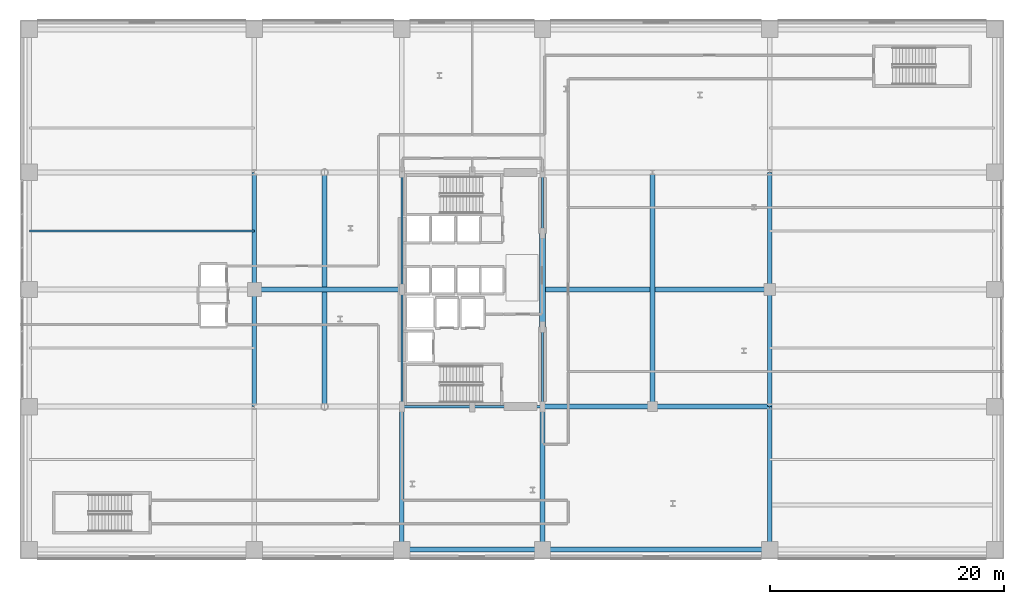
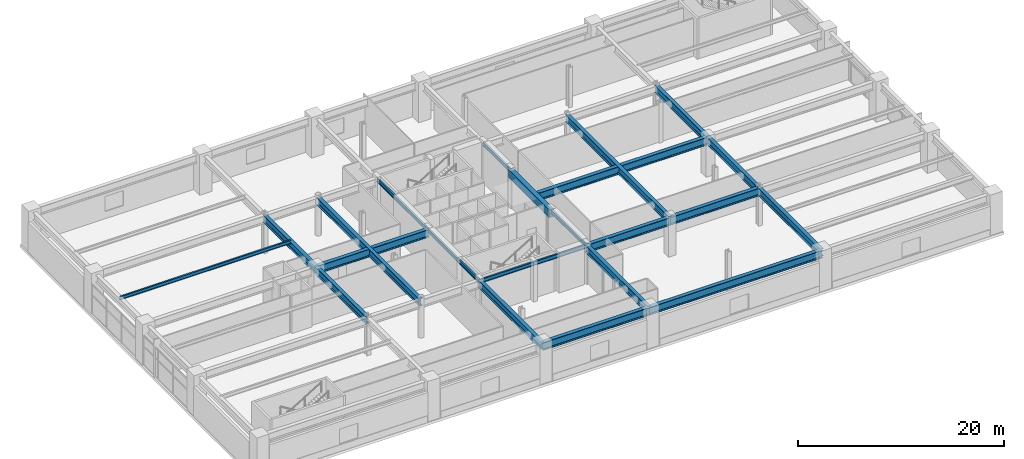
# One storey, part 10 of 28: 23 beams.
"""IFC4 building model written with IfcOpenShell, lengths in metres."""

from ifc_helpers import new_model, si_unit, direction, frame, origin, origin_2d, place, context, subcontext, project, spatial, rectangle, i_section, extrude, material, material_profile, profile_set, type_object, element, save


model = new_model("IFC4")

# Units and contexts
model_context = context("Model", 3, precision=1e-05, world=origin(), true_north=direction((0.0, 1.0)))
body_context = subcontext(model_context, "Body", "Model", "MODEL_VIEW")
ifc_project = project(units=[si_unit("LENGTHUNIT", "METRE"), si_unit("AREAUNIT", "SQUARE_METRE"), si_unit("VOLUMEUNIT", "CUBIC_METRE"), si_unit("PLANEANGLEUNIT", "RADIAN"), si_unit("MASSUNIT", "GRAM", prefix="KILO")], contexts=[model_context])

# Site, building, storey
site_placement = place(None, origin())
site = spatial("IfcSite", under=ifc_project, at=site_placement, CompositionType="ELEMENT")
building_placement = place(site_placement, origin())
building = spatial("IfcBuilding", under=site, at=building_placement, Name="Soratama Intermodal Tower", CompositionType="ELEMENT")
storey_placement = place(building_placement, frame((0.0, 0.0, 11.39990234375)))
storey = spatial("IfcBuildingStorey", under=building, at=storey_placement, Name="L02", CompositionType="ELEMENT", Elevation=11.39990234375)

# Beams
ifc_material_1 = material(Name="Concrete f'c 56 MPa", Category="concrete")
ifc_material_profile_1 = material_profile(ifc_material_1, rectangle(XDim=0.5, YDim=0.949951171875, at=origin_2d()), Name="RC500X950")
ifc_profile_set_1 = profile_set([ifc_material_profile_1], Name="Concrete f'c 56 MPa")
beam_type_1 = type_object("IfcBeamType", Name="BM-CPL-RC500X950", PredefinedType="BEAM", material=ifc_profile_set_1)
beam_1_placement = place(storey_placement, frame((44.60009765625, 21.800048828125, 4.005126953125), z_axis=(0.0, 1.0, 0.0), x_axis=(-1.0, 0.0, 0.0)))
element("IfcBeam", 1, at=beam_1_placement, inside=storey, type_object=beam_type_1, Name="L02 Core Coupling Beam East", PredefinedType="BEAM", context=body_context, shape_type="SweptSolid", body=[
    extrude(rectangle(XDim=0.5, YDim=0.949951171875, at=origin_2d()), origin(), (0.0, 0.0, 1.0), 8.0),
])
ifc_material_2 = material(Name="Structural steel ASTM A992 Grade 50", Category="steel")
ifc_material_profile_2 = material_profile(ifc_material_2, i_section(OverallWidth=0.19091796875, OverallDepth=0.4599609375, WebThickness=0.010009765625, FlangeThickness=0.01611328125, FilletRadius=0.010986328125, at=origin_2d()), Name="W18X55")
ifc_profile_set_2 = profile_set([ifc_material_profile_2], Name="Structural steel ASTM A992 Grade 50")
beam_type_2 = type_object("IfcBeamType", Name="BM-FLR-W18X55", PredefinedType="BEAM", material=ifc_profile_set_2)
for number, where, z_axis, x_axis, name in (
    (2, (32.60009765625, 15.0, 4.25), (1.0, 0.0, 0.0), (0.0, 1.0, 0.0), "BM-L02-CRING-01"),
    (3, (38.60009765625, 15.0, 4.25), (1.0, 0.0, 0.0), (0.0, 1.0, 0.0), "BM-L02-CRING-02"),
):
    element("IfcBeam", number, at=place(storey_placement, frame(where, z_axis=z_axis, x_axis=x_axis)), inside=storey, type_object=beam_type_2, Name=name, PredefinedType="BEAM", context=body_context, shape_type="SweptSolid", body=[
        extrude(i_section(OverallWidth=0.19091796875, OverallDepth=0.4599609375, WebThickness=0.010009765625, FlangeThickness=0.01611328125, FilletRadius=0.010986328125, at=origin_2d()), origin(), (0.0, 0.0, 1.0), 6.0),
    ])
beam_2_placement = place(storey_placement, frame((44.60009765625, 15.0, 4.25), z_axis=(0.0, 1.0, 0.0), x_axis=(-1.0, 0.0, 0.0)))
element("IfcBeam", 4, at=beam_2_placement, inside=storey, type_object=beam_type_2, Name="BM-L02-CRING-03", PredefinedType="BEAM", context=body_context, shape_type="SweptSolid", body=[
    extrude(i_section(OverallWidth=0.19091796875, OverallDepth=0.4599609375, WebThickness=0.010009765625, FlangeThickness=0.01611328125, FilletRadius=0.010986328125, at=origin_2d()), origin(), (0.0, 0.0, 1.0), 6.800048828125),
])
beam_3_placement = place(storey_placement, frame((44.60009765625, 29.800048828125, 4.25), z_axis=(0.0, 1.0, 0.0), x_axis=(-1.0, 0.0, 0.0)))
element("IfcBeam", 5, at=beam_3_placement, inside=storey, type_object=beam_type_2, Name="BM-L02-CRING-05", PredefinedType="BEAM", context=body_context, shape_type="SweptSolid", body=[
    extrude(i_section(OverallWidth=0.19091796875, OverallDepth=0.4599609375, WebThickness=0.010009765625, FlangeThickness=0.01611328125, FilletRadius=0.010986328125, at=origin_2d()), origin(), (0.0, 0.0, 1.0), 5.199951171875),
])
for number, where, z_axis, x_axis, name in (
    (6, (32.60009765625, 35.0, 4.25), (0.0, -1.0, 0.0), (1.0, 0.0, 0.0), "BM-L02-CRING-08"),
    (7, (32.60009765625, 25.0, 4.25), (0.0, -1.0, 0.0), (1.0, 0.0, 0.0), "BM-L02-CRING-09"),
):
    element("IfcBeam", number, at=place(storey_placement, frame(where, z_axis=z_axis, x_axis=x_axis)), inside=storey, type_object=beam_type_2, Name=name, PredefinedType="BEAM", context=body_context, shape_type="SweptSolid", body=[
        extrude(i_section(OverallWidth=0.19091796875, OverallDepth=0.4599609375, WebThickness=0.010009765625, FlangeThickness=0.01611328125, FilletRadius=0.010986328125, at=origin_2d()), origin(), (0.0, 0.0, 1.0), 10.0),
    ])
ifc_material_3 = material(Name="Structural steel ASTM A992 Grade 50", Category="steel")
ifc_material_profile_3 = material_profile(ifc_material_3, i_section(OverallWidth=0.177978515625, OverallDepth=0.406982421875, WebThickness=0.0078125, FlangeThickness=0.0126953125, FilletRadius=0.010009765625, at=origin_2d()), Name="W16X40")
ifc_profile_set_3 = profile_set([ifc_material_profile_3], Name="Structural steel ASTM A992 Grade 50")
beam_type_3 = type_object("IfcBeamType", Name="BM-JST-W16X40", PredefinedType="JOIST", material=ifc_profile_set_3)
beam_4_placement = place(storey_placement, frame((0.800048828125, 30.0, 4.276611328125), z_axis=(1.0, 0.0, 0.0), x_axis=(0.0, 1.0, 0.0)))
element("IfcBeam", 8, at=beam_4_placement, inside=storey, type_object=beam_type_3, Name="JST-L02-W3", PredefinedType="JOIST", context=body_context, shape_type="SweptSolid", body=[
    extrude(i_section(OverallWidth=0.177978515625, OverallDepth=0.406982421875, WebThickness=0.0078125, FlangeThickness=0.0126953125, FilletRadius=0.010009765625, at=origin_2d()), origin(), (0.0, 0.0, 1.0), 19.199951171875),
])
ifc_material_4 = material(Name="Structural steel ASTM A992 Grade 50", Category="steel")
ifc_material_profile_4 = material_profile(ifc_material_4, i_section(OverallWidth=0.423095703125, OverallDepth=0.93896484375, WebThickness=0.02392578125, FlangeThickness=0.042724609375, FilletRadius=0.02392578125, at=origin_2d()), Name="W36X302")
ifc_profile_set_4 = profile_set([ifc_material_profile_4], Name="Structural steel ASTM A992 Grade 50")
beam_type_4 = type_object("IfcBeamType", Name="BM-POD-EXT-W36", PredefinedType="BEAM", material=ifc_profile_set_4)
beam_5_placement = place(storey_placement, frame((32.60009765625, 2.800048828125, 4.010498046875), z_axis=(1.0, 0.0, 0.0), x_axis=(0.0, 1.0, 0.0)))
element("IfcBeam", 9, at=beam_5_placement, inside=storey, type_object=beam_type_4, Name="L02 Station Girder X1-3", PredefinedType="BEAM", context=body_context, shape_type="SweptSolid", body=[
    extrude(i_section(OverallWidth=0.423095703125, OverallDepth=0.93896484375, WebThickness=0.02392578125, FlangeThickness=0.042724609375, FilletRadius=0.02392578125, at=origin_2d()), origin(), (0.0, 0.0, 1.0), 12.0),
])
beam_6_placement = place(storey_placement, frame((44.60009765625, 2.800048828125, 4.010498046875), z_axis=(1.0, 0.0, 0.0), x_axis=(0.0, 1.0, 0.0)))
element("IfcBeam", 10, at=beam_6_placement, inside=storey, type_object=beam_type_4, Name="L02 Station Girder X1-4", PredefinedType="BEAM", context=body_context, shape_type="SweptSolid", body=[
    extrude(i_section(OverallWidth=0.423095703125, OverallDepth=0.93896484375, WebThickness=0.02392578125, FlangeThickness=0.042724609375, FilletRadius=0.02392578125, at=origin_2d()), origin(), (0.0, 0.0, 1.0), 19.39990234375),
])
ifc_material_5 = material(Name="Structural steel ASTM A992 Grade 50", Category="steel")
ifc_material_profile_5 = material_profile(ifc_material_5, i_section(OverallWidth=0.403076171875, OverallDepth=0.867919921875, WebThickness=0.02099609375, FlangeThickness=0.03564453125, FilletRadius=0.01806640625, at=origin_2d()), Name="W33X241")
ifc_profile_set_5 = profile_set([ifc_material_profile_5], Name="Structural steel ASTM A992 Grade 50")
beam_type_5 = type_object("IfcBeamType", Name="BM-POD-W33X241", PredefinedType="BEAM", material=ifc_profile_set_5)
for number, where, z_axis, x_axis, name in (
    (11, (20.0, 15.0, 4.046142578125), (0.0, 1.0, 0.0), (-1.0, 0.0, 0.0), "L02 Station Girder Y2-2"),
    (12, (20.0, 25.0, 4.046142578125), (0.0, 1.0, 0.0), (-1.0, 0.0, 0.0), "L02 Station Girder Y2-3"),
):
    element("IfcBeam", number, at=place(storey_placement, frame(where, z_axis=z_axis, x_axis=x_axis)), inside=storey, type_object=beam_type_5, Name=name, PredefinedType="BEAM", context=body_context, shape_type="SweptSolid", body=[
        extrude(i_section(OverallWidth=0.403076171875, OverallDepth=0.867919921875, WebThickness=0.02099609375, FlangeThickness=0.03564453125, FilletRadius=0.01806640625, at=origin_2d()), origin(), (0.0, 0.0, 1.0), 10.0),
    ])
beam_7_placement = place(storey_placement, frame((64.0, 2.800048828125, 4.046142578125), z_axis=(0.0, 1.0, 0.0), x_axis=(-1.0, 0.0, 0.0)))
element("IfcBeam", 13, at=beam_7_placement, inside=storey, type_object=beam_type_5, Name="L02 Station Girder Y3-1", PredefinedType="BEAM", context=body_context, shape_type="SweptSolid", body=[
    extrude(i_section(OverallWidth=0.403076171875, OverallDepth=0.867919921875, WebThickness=0.02099609375, FlangeThickness=0.03564453125, FilletRadius=0.01806640625, at=origin_2d()), origin(), (0.0, 0.0, 1.0), 12.199951171875),
])
for number, where, z_axis, x_axis, name in (
    (14, (64.0, 15.0, 4.046142578125), (0.0, 1.0, 0.0), (-1.0, 0.0, 0.0), "L02 Station Girder Y3-2"),
    (15, (64.0, 25.0, 4.046142578125), (0.0, 1.0, 0.0), (-1.0, 0.0, 0.0), "L02 Station Girder Y3-3"),
):
    element("IfcBeam", number, at=place(storey_placement, frame(where, z_axis=z_axis, x_axis=x_axis)), inside=storey, type_object=beam_type_5, Name=name, PredefinedType="BEAM", context=body_context, shape_type="SweptSolid", body=[
        extrude(i_section(OverallWidth=0.403076171875, OverallDepth=0.867919921875, WebThickness=0.02099609375, FlangeThickness=0.03564453125, FilletRadius=0.01806640625, at=origin_2d()), origin(), (0.0, 0.0, 1.0), 10.0),
    ])
for number, where, z_axis, x_axis, name in (
    (16, (32.60009765625, 2.800048828125, 4.046142578125), (0.0, 1.0, 0.0), (-1.0, 0.0, 0.0), "BM-L02-GYC-1-1"),
    (17, (44.60009765625, 2.800048828125, 4.046142578125), (0.0, 1.0, 0.0), (-1.0, 0.0, 0.0), "BM-L02-GYC-2-1"),
):
    element("IfcBeam", number, at=place(storey_placement, frame(where, z_axis=z_axis, x_axis=x_axis)), inside=storey, type_object=beam_type_5, Name=name, PredefinedType="BEAM", context=body_context, shape_type="SweptSolid", body=[
        extrude(i_section(OverallWidth=0.403076171875, OverallDepth=0.867919921875, WebThickness=0.02099609375, FlangeThickness=0.03564453125, FilletRadius=0.01806640625, at=origin_2d()), origin(), (0.0, 0.0, 1.0), 12.199951171875),
    ])
for number, where, z_axis, x_axis, name in (
    (18, (26.0, 15.0, 4.046142578125), (0.0, 1.0, 0.0), (-1.0, 0.0, 0.0), "BM-L02-GYS-1"),
    (19, (54.0, 15.0, 4.046142578125), (0.0, 1.0, 0.0), (-1.0, 0.0, 0.0), "BM-L02-GYS-2"),
):
    element("IfcBeam", number, at=place(storey_placement, frame(where, z_axis=z_axis, x_axis=x_axis)), inside=storey, type_object=beam_type_5, Name=name, PredefinedType="BEAM", context=body_context, shape_type="SweptSolid", body=[
        extrude(i_section(OverallWidth=0.403076171875, OverallDepth=0.867919921875, WebThickness=0.02099609375, FlangeThickness=0.03564453125, FilletRadius=0.01806640625, at=origin_2d()), origin(), (0.0, 0.0, 1.0), 20.0),
    ])
ifc_material_6 = material(Name="Structural steel ASTM A992 Grade 50", Category="steel")
ifc_material_profile_6 = material_profile(ifc_material_6, i_section(OverallWidth=0.423095703125, OverallDepth=0.93896484375, WebThickness=0.02392578125, FlangeThickness=0.042724609375, FilletRadius=0.02392578125, at=origin_2d()), Name="W36X302")
ifc_profile_set_6 = profile_set([ifc_material_profile_6], Name="Structural steel ASTM A992 Grade 50")
beam_type_6 = type_object("IfcBeamType", Name="BM-POD-W36X302", PredefinedType="BEAM", material=ifc_profile_set_6)
beam_8_placement = place(storey_placement, frame((44.60009765625, 15.0, 4.010498046875), z_axis=(1.0, 0.0, 0.0), x_axis=(0.0, 1.0, 0.0)))
element("IfcBeam", 20, at=beam_8_placement, inside=storey, type_object=beam_type_6, Name="L02 Station Girder X2-4", PredefinedType="BEAM", context=body_context, shape_type="SweptSolid", body=[
    extrude(i_section(OverallWidth=0.423095703125, OverallDepth=0.93896484375, WebThickness=0.02392578125, FlangeThickness=0.042724609375, FilletRadius=0.02392578125, at=origin_2d()), origin(), (0.0, 0.0, 1.0), 9.39990234375),
])
beam_9_placement = place(storey_placement, frame((54.0, 15.0, 4.010498046875), z_axis=(1.0, 0.0, 0.0), x_axis=(0.0, 1.0, 0.0)))
element("IfcBeam", 21, at=beam_9_placement, inside=storey, type_object=beam_type_6, Name="L02 Station Girder X2-5", PredefinedType="BEAM", context=body_context, shape_type="SweptSolid", body=[
    extrude(i_section(OverallWidth=0.423095703125, OverallDepth=0.93896484375, WebThickness=0.02392578125, FlangeThickness=0.042724609375, FilletRadius=0.02392578125, at=origin_2d()), origin(), (0.0, 0.0, 1.0), 10.0),
])
beam_10_placement = place(storey_placement, frame((20.0, 25.0, 4.010498046875), z_axis=(1.0, 0.0, 0.0), x_axis=(0.0, 1.0, 0.0)))
element("IfcBeam", 22, at=beam_10_placement, inside=storey, type_object=beam_type_6, Name="L02 Station Girder X3-1", PredefinedType="BEAM", context=body_context, shape_type="SweptSolid", body=[
    extrude(i_section(OverallWidth=0.423095703125, OverallDepth=0.93896484375, WebThickness=0.02392578125, FlangeThickness=0.042724609375, FilletRadius=0.02392578125, at=origin_2d()), origin(), (0.0, 0.0, 1.0), 12.60009765625),
])
beam_11_placement = place(storey_placement, frame((44.60009765625, 25.0, 4.010498046875), z_axis=(1.0, 0.0, 0.0), x_axis=(0.0, 1.0, 0.0)))
element("IfcBeam", 23, at=beam_11_placement, inside=storey, type_object=beam_type_6, Name="L02 Station Girder X3-2", PredefinedType="BEAM", context=body_context, shape_type="SweptSolid", body=[
    extrude(i_section(OverallWidth=0.423095703125, OverallDepth=0.93896484375, WebThickness=0.02392578125, FlangeThickness=0.042724609375, FilletRadius=0.02392578125, at=origin_2d()), origin(), (0.0, 0.0, 1.0), 19.39990234375),
])

save(model, "model.ifc")
